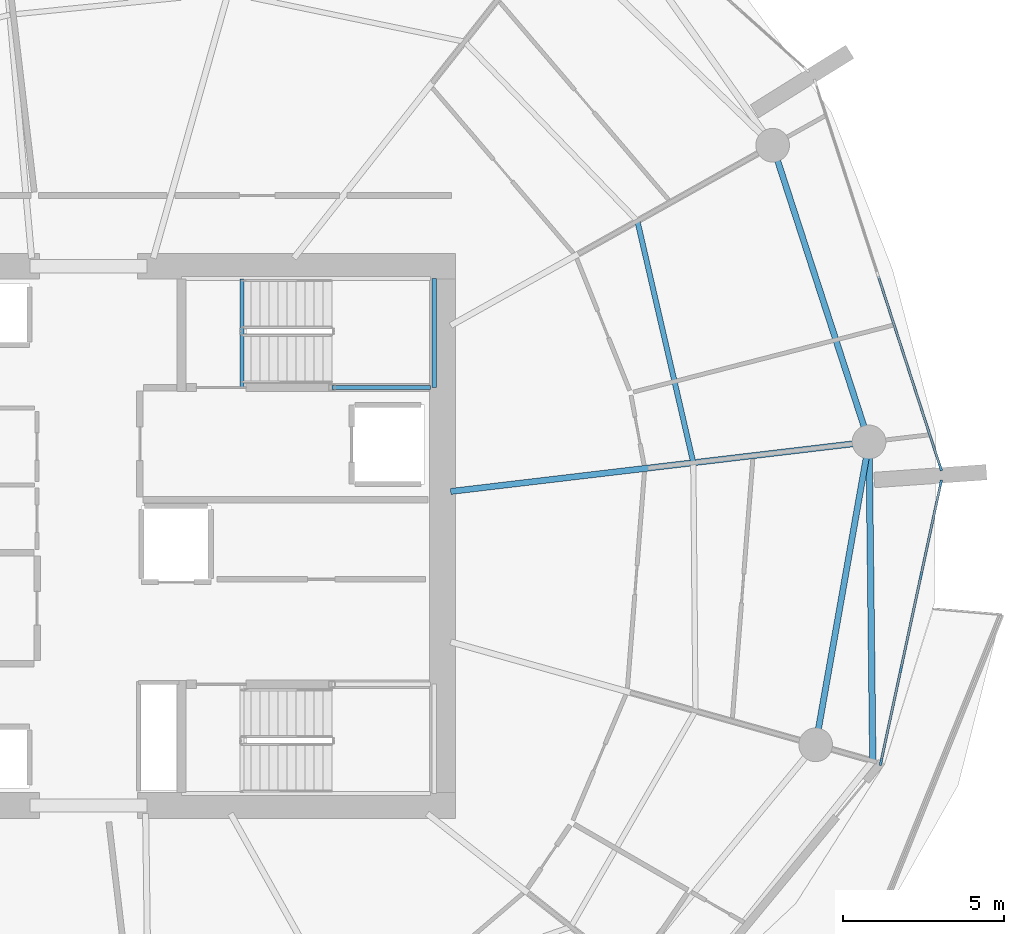
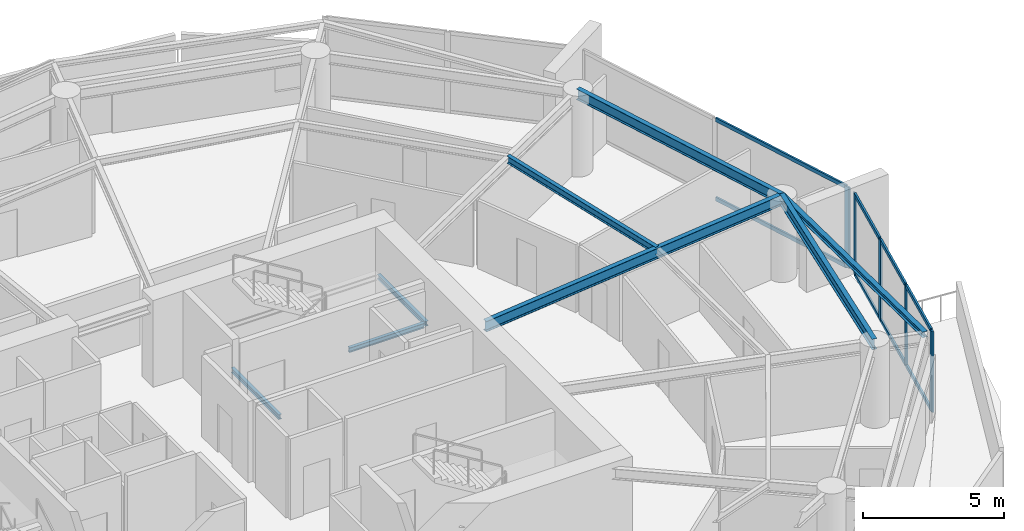
# One storey, part 7 of 20: 13 members, 8 beams, 2 elements without a shape of their own.
"""IFC4 building model written with IfcOpenShell, lengths in metres."""

from ifc_helpers import new_model, si_unit, direction, frame, origin, origin_2d, place, context, subcontext, project, spatial, rectangle, i_section, extrude, material, layer, layer_set, material_profile, profile_set, type_object, element, aggregate, save


model = new_model("IFC4")

# Units and contexts
model_context = context("Model", 3, precision=1e-05, world=origin(), true_north=direction((0.0, 1.0)))
body_context = subcontext(model_context, "Body", "Model", "MODEL_VIEW")
ifc_project = project(units=[si_unit("LENGTHUNIT", "METRE"), si_unit("AREAUNIT", "SQUARE_METRE"), si_unit("VOLUMEUNIT", "CUBIC_METRE"), si_unit("PLANEANGLEUNIT", "RADIAN"), si_unit("MASSUNIT", "GRAM", prefix="KILO")], contexts=[model_context])

# Site, building, storey
site_placement = place(None, origin())
site = spatial("IfcSite", under=ifc_project, at=site_placement, CompositionType="ELEMENT")
building_placement = place(site_placement, origin())
building = spatial("IfcBuilding", under=site, at=building_placement, Name="Kazma Halo Residences", CompositionType="ELEMENT")
storey_placement = place(building_placement, frame((0.0, 0.0, 157.800048828125)))
storey = spatial("IfcBuildingStorey", under=building, at=storey_placement, Name="L39", CompositionType="ELEMENT", Elevation=157.800048828125)

# Beams
ifc_material_1 = material(Name="Steel S355", Category="steel")
ifc_material_profile_1 = material_profile(ifc_material_1, i_section(OverallWidth=0.201904296875, OverallDepth=0.2470703125, WebThickness=0.00732421875, FlangeThickness=0.010986328125, FilletRadius=0.011962890625, at=origin_2d()), Name="W250x49.1")
ifc_profile_set_1 = profile_set([ifc_material_profile_1], Name="Steel S355")
beam_type_1 = type_object("IfcBeamType", Name="BM-BAL-CANT", PredefinedType="BEAM", material=ifc_profile_set_1)
beam_1_placement = place(storey_placement, frame((72.850341796875, 34.991455078125, 3.37646484375), z_axis=(-0.011793371143, 0.99993045578, 0.0), x_axis=(-0.99993045578, -0.011793371143, 0.0)))
element("IfcBeam", 1, at=beam_1_placement, inside=storey, type_object=beam_type_1, Name="L39 wave-balcony tie beam 15", PredefinedType="BEAM", context=body_context, shape_type="SweptSolid", body=[
    extrude(i_section(OverallWidth=0.201904296875, OverallDepth=0.2470703125, WebThickness=0.00732421875, FlangeThickness=0.010986328125, FilletRadius=0.011962890625, at=origin_2d()), origin(), (0.0, 0.0, 1.0), 9.936767578125),
])
ifc_material_profile_2 = material_profile(ifc_material_1, i_section(OverallWidth=0.18994140625, OverallDepth=0.45703125, WebThickness=0.009033203125, FlangeThickness=0.014404296875, FilletRadius=0.01611328125, at=origin_2d()), Name="W460x74")
ifc_profile_set_2 = profile_set([ifc_material_profile_2], Name="Steel S355")
beam_type_2 = type_object("IfcBeamType", Name="BM-RAD-W460", PredefinedType="BEAM", material=ifc_profile_set_2)
beam_2_placement = place(storey_placement, frame((59.699951171875, 43.384765625, 3.271484375), z_axis=(0.993067181848, 0.117548170278, 0.0), x_axis=(-0.117548170278, 0.993067181848, 0.0)))
element("IfcBeam", 2, at=beam_2_placement, inside=storey, type_object=beam_type_2, Name="L39 radial floor beam 16", PredefinedType="BEAM", context=body_context, shape_type="SweptSolid", body=[
    extrude(i_section(OverallWidth=0.18994140625, OverallDepth=0.45703125, WebThickness=0.009033203125, FlangeThickness=0.014404296875, FilletRadius=0.01611328125, at=origin_2d()), origin(), (0.0, 0.0, 1.0), 13.124267578125),
])
ifc_material_profile_3 = material_profile(ifc_material_1, i_section(OverallWidth=0.1650390625, OverallDepth=0.31005859375, WebThickness=0.005859375, FlangeThickness=0.009765625, FilletRadius=0.011962890625, at=origin_2d()), Name="W310x38.7")
ifc_profile_set_3 = profile_set([ifc_material_profile_3], Name="Steel S355")
beam_type_3 = type_object("IfcBeamType", Name="BM-SEC-W310B", PredefinedType="JOIST", material=ifc_profile_set_3)
beam_3_placement = place(storey_placement, frame((67.25927734375, 44.279541015625, 3.344970703125), z_axis=(-0.225330067077, 0.97428248515, 0.0), x_axis=(-0.97428248515, -0.225330067077, 0.0)))
element("IfcBeam", 3, at=beam_3_placement, inside=storey, type_object=beam_type_3, Name="L39 circumferential floor joist 16", PredefinedType="JOIST", context=body_context, shape_type="SweptSolid", body=[
    extrude(i_section(OverallWidth=0.1650390625, OverallDepth=0.31005859375, WebThickness=0.005859375, FlangeThickness=0.009765625, FilletRadius=0.011962890625, at=origin_2d()), origin(), (0.0, 0.0, 1.0), 7.7294921875),
])
ifc_material_profile_4 = material_profile(ifc_material_1, i_section(OverallWidth=0.18994140625, OverallDepth=0.45703125, WebThickness=0.009033203125, FlangeThickness=0.014404296875, FilletRadius=0.01611328125, at=origin_2d()), Name="W460x74")
ifc_profile_set_4 = profile_set([ifc_material_profile_4], Name="Steel S355")
beam_type_4 = type_object("IfcBeamType", Name="BM-SPN-W460", PredefinedType="BEAM", material=ifc_profile_set_4)
beam_4_placement = place(storey_placement, frame((71.06982421875, 35.49365234375, 3.271484375), z_axis=(0.173637033425, 0.984809717978, 0.0), x_axis=(-0.984809717978, 0.173637033425, 0.0)))
element("IfcBeam", 4, at=beam_4_placement, inside=storey, type_object=beam_type_4, Name="L39 perimeter ring beam 15", PredefinedType="BEAM", context=body_context, shape_type="SweptSolid", body=[
    extrude(i_section(OverallWidth=0.18994140625, OverallDepth=0.45703125, WebThickness=0.009033203125, FlangeThickness=0.014404296875, FilletRadius=0.01611328125, at=origin_2d()), origin(), (0.0, 0.0, 1.0), 9.579345703125),
])
beam_5_placement = place(storey_placement, frame((72.733154296875, 44.927490234375, 3.271484375), z_axis=(-0.309020741629, 0.95105529873, 0.0), x_axis=(-0.95105529873, -0.309020741629, 0.0)))
element("IfcBeam", 5, at=beam_5_placement, inside=storey, type_object=beam_type_4, Name="L39 perimeter ring beam 16", PredefinedType="BEAM", context=body_context, shape_type="SweptSolid", body=[
    extrude(i_section(OverallWidth=0.18994140625, OverallDepth=0.45703125, WebThickness=0.009033203125, FlangeThickness=0.014404296875, FilletRadius=0.01611328125, at=origin_2d()), origin(), (0.0, 0.0, 1.0), 9.717529296875),
])
ifc_material_profile_5 = material_profile(ifc_material_1, i_section(OverallWidth=0.133056640625, OverallDepth=0.20703125, WebThickness=0.005859375, FlangeThickness=0.00830078125, FilletRadius=0.010009765625, at=origin_2d()), Name="W200x26.6")
ifc_profile_set_5 = profile_set([ifc_material_profile_5], Name="Steel S355")
beam_type_5 = type_object("IfcBeamType", Name="BM-TRIM-W200", PredefinedType="BEAM", material=ifc_profile_set_5)
beam_6_placement = place(storey_placement, frame((53.199951171875, 46.6201171875, -0.360107421875), z_axis=(0.0, 1.0, 0.0), x_axis=(-1.0, 0.0, 0.0)))
element("IfcBeam", 6, at=beam_6_placement, inside=storey, type_object=beam_type_5, Name="L39 ST-02 floor landing support beam", PredefinedType="BEAM", context=body_context, shape_type="SweptSolid", body=[
    extrude(i_section(OverallWidth=0.133056640625, OverallDepth=0.20703125, WebThickness=0.005859375, FlangeThickness=0.00830078125, FilletRadius=0.010009765625, at=origin_2d()), origin(), (0.0, 0.0, 1.0), 3.3798828125),
])
beam_7_placement = place(storey_placement, frame((56.0, 46.6201171875, 1.570068359375), z_axis=(1.0, 0.0, 0.0), x_axis=(0.0, 1.0, 0.0)))
element("IfcBeam", 7, at=beam_7_placement, inside=storey, type_object=beam_type_5, Name="L39 ST-02 landing south wall ledger", PredefinedType="BEAM", context=body_context, shape_type="SweptSolid", body=[
    extrude(i_section(OverallWidth=0.133056640625, OverallDepth=0.20703125, WebThickness=0.005859375, FlangeThickness=0.00830078125, FilletRadius=0.010009765625, at=origin_2d()), origin(), (0.0, 0.0, 1.0), 3.070068359375),
])
beam_8_placement = place(storey_placement, frame((59.18994140625, 46.6201171875, 1.570068359375), z_axis=(0.0, 1.0, 0.0), x_axis=(-1.0, 0.0, 0.0)))
element("IfcBeam", 8, at=beam_8_placement, inside=storey, type_object=beam_type_5, Name="L39 ST-02 landing end wall ledger", PredefinedType="BEAM", context=body_context, shape_type="SweptSolid", body=[
    extrude(i_section(OverallWidth=0.133056640625, OverallDepth=0.20703125, WebThickness=0.005859375, FlangeThickness=0.00830078125, FilletRadius=0.010009765625, at=origin_2d()), origin(), (0.0, 0.0, 1.0), 3.39990234375),
])

# Curtain wall, members
ifc_material_2 = material(Name="Aluminium AW-6063 T6 and Triple-Silver Low-E Glass", Category="aluminium")
ifc_layer = layer(ifc_material_2, 0.219970703125)
ifc_layer_set = layer_set([ifc_layer], Name="Aluminium AW-6063 T6 and Triple-Silver Low-E Glass")
curtain_wall_type = type_object("IfcCurtainWallType", Name="CW-SYS-4", PredefinedType="NOTDEFINED", material=ifc_layer_set)
curtain_wall_1_placement = place(storey_placement, origin())
curtain_wall_1 = element("IfcCurtainWall", 9, at=curtain_wall_1_placement, inside=storey, type_object=curtain_wall_type, Name="L39 unitised curtain wall B15", PredefinedType="NOTDEFINED")
ifc_material_3 = material(Name="Aluminium AW-6063 T6", Category="aluminium")
ifc_material_profile_6 = material_profile(ifc_material_3, rectangle(XDim=0.074951171875, YDim=0.219970703125, at=origin_2d()), Name="CWM-75x220")
ifc_profile_set_6 = profile_set([ifc_material_profile_6], Name="Aluminium AW-6063 T6")
member_type_1 = type_object("IfcMemberType", Name="CW-SYS-4-MUL", PredefinedType="MULLION", material=ifc_profile_set_6)
member_1_placement = place(storey_placement, frame((73.105224609375, 34.95849609375, 0.0), z_axis=(0.0, 0.0, 1.0), x_axis=(-0.977764957684, 0.209703809037, 0.0)))
member_1 = element("IfcMember", 10, at=member_1_placement, type_object=member_type_1, Name="CWS-4 mullion 1", PredefinedType="MULLION", context=body_context, shape_type="SweptSolid", body=[
    extrude(rectangle(XDim=0.074951171875, YDim=0.219970703125, at=origin_2d()), origin(), (0.0, 0.0, 1.0), 3.5),
])
member_2_placement = place(storey_placement, frame((73.72314453125, 37.839111328125, 0.0), z_axis=(0.0, 0.0, 1.0), x_axis=(-0.977764957684, 0.209703809037, 0.0)))
member_2 = element("IfcMember", 11, at=member_2_placement, type_object=member_type_1, Name="CWS-4 mullion 2", PredefinedType="MULLION", context=body_context, shape_type="SweptSolid", body=[
    extrude(rectangle(XDim=0.074951171875, YDim=0.219970703125, at=origin_2d()), origin(), (0.0, 0.0, 1.0), 3.5),
])
member_3_placement = place(storey_placement, frame((74.3486328125, 40.75634765625, 0.0), z_axis=(0.0, 0.0, 1.0), x_axis=(-0.977764957684, 0.209703809037, 0.0)))
member_3 = element("IfcMember", 12, at=member_3_placement, type_object=member_type_1, Name="CWS-4 mullion 3", PredefinedType="MULLION", context=body_context, shape_type="SweptSolid", body=[
    extrude(rectangle(XDim=0.074951171875, YDim=0.219970703125, at=origin_2d()), origin(), (0.0, 0.0, 1.0), 3.5),
])
member_4_placement = place(storey_placement, frame((74.966552734375, 43.63671875, 0.0), z_axis=(0.0, 0.0, 1.0), x_axis=(-0.977764957684, 0.209703809037, 0.0)))
member_4 = element("IfcMember", 13, at=member_4_placement, type_object=member_type_1, Name="CWS-4 mullion 4", PredefinedType="MULLION", context=body_context, shape_type="SweptSolid", body=[
    extrude(rectangle(XDim=0.074951171875, YDim=0.219970703125, at=origin_2d()), origin(), (0.0, 0.0, 1.0), 3.5),
])

# Curtain wall, member
curtain_wall_2_placement = place(storey_placement, origin())
curtain_wall_2 = element("IfcCurtainWall", 14, at=curtain_wall_2_placement, inside=storey, type_object=curtain_wall_type, Name="L39 unitised curtain wall B16", PredefinedType="NOTDEFINED")
member_5_placement = place(storey_placement, frame((74.955810546875, 44.13427734375, 0.0), z_axis=(0.0, 0.0, 1.0), x_axis=(-0.951057547609, -0.3090138203, 0.0)))
member_5 = element("IfcMember", 15, at=member_5_placement, type_object=member_type_1, Name="CWS-4 mullion 1", PredefinedType="MULLION", context=body_context, shape_type="SweptSolid", body=[
    extrude(rectangle(XDim=0.074951171875, YDim=0.219970703125, at=origin_2d()), origin(), (0.0, 0.0, 1.0), 3.5),
])

# Member
ifc_material_profile_7 = material_profile(ifc_material_3, rectangle(XDim=0.074951171875, YDim=0.1650390625, at=origin_2d()), Name="CWT-75x165")
ifc_profile_set_7 = profile_set([ifc_material_profile_7], Name="Aluminium AW-6063 T6")
member_type_2 = type_object("IfcMemberType", Name="CW-SYS-4-TRN", PredefinedType="USERDEFINED", material=ifc_profile_set_7)
member_6_placement = place(storey_placement, frame((73.113037109375, 34.9951171875, 0.037353515625), z_axis=(0.209703309269, 0.977765064871, 0.0), x_axis=(-0.977765064871, 0.209703309269, 0.0)))
member_6 = element("IfcMember", 16, at=member_6_placement, type_object=member_type_2, Name="CWS-4 transom 1.1", ObjectType="TRANSOM", PredefinedType="USERDEFINED", context=body_context, shape_type="SweptSolid", body=[
    extrude(rectangle(XDim=0.074951171875, YDim=0.1650390625, at=origin_2d()), origin(), (0.0, 0.0, 1.0), 2.870849609375),
])

member_7_placement = place(storey_placement, frame((73.113037109375, 34.9951171875, 3.46240234375), z_axis=(0.209703309269, 0.977765064871, 0.0), x_axis=(-0.977765064871, 0.209703309269, 0.0)))
member_7 = element("IfcMember", 17, at=member_7_placement, type_object=member_type_2, Name="CWS-4 transom 1.2", ObjectType="TRANSOM", PredefinedType="USERDEFINED", context=body_context, shape_type="SweptSolid", body=[
    extrude(rectangle(XDim=0.074951171875, YDim=0.1650390625, at=origin_2d()), origin(), (0.0, 0.0, 1.0), 2.870849609375),
])

member_8_placement = place(storey_placement, frame((73.73095703125, 37.875732421875, 0.037353515625), z_axis=(0.209689601293, 0.977768004748, 0.0), x_axis=(-0.977768004748, 0.209689601293, 0.0)))
member_8 = element("IfcMember", 18, at=member_8_placement, type_object=member_type_2, Name="CWS-4 transom 2.1", ObjectType="TRANSOM", PredefinedType="USERDEFINED", context=body_context, shape_type="SweptSolid", body=[
    extrude(rectangle(XDim=0.074951171875, YDim=0.1650390625, at=origin_2d()), origin(), (0.0, 0.0, 1.0), 2.908447265625),
])

member_9_placement = place(storey_placement, frame((73.73095703125, 37.875732421875, 3.46240234375), z_axis=(0.209689601293, 0.977768004748, 0.0), x_axis=(-0.977768004748, 0.209689601293, 0.0)))
member_9 = element("IfcMember", 19, at=member_9_placement, type_object=member_type_2, Name="CWS-4 transom 2.2", ObjectType="TRANSOM", PredefinedType="USERDEFINED", context=body_context, shape_type="SweptSolid", body=[
    extrude(rectangle(XDim=0.074951171875, YDim=0.1650390625, at=origin_2d()), origin(), (0.0, 0.0, 1.0), 2.908447265625),
])

member_10_placement = place(storey_placement, frame((74.356689453125, 40.79296875, 0.037353515625), z_axis=(0.209703309269, 0.977765064871, 0.0), x_axis=(-0.977765064871, 0.209703309269, 0.0)))
member_10 = element("IfcMember", 20, at=member_10_placement, type_object=member_type_2, Name="CWS-4 transom 3.1", ObjectType="TRANSOM", PredefinedType="USERDEFINED", context=body_context, shape_type="SweptSolid", body=[
    extrude(rectangle(XDim=0.074951171875, YDim=0.1650390625, at=origin_2d()), origin(), (0.0, 0.0, 1.0), 2.870849609375),
])

member_11_placement = place(storey_placement, frame((74.356689453125, 40.79296875, 3.46240234375), z_axis=(0.209703309269, 0.977765064871, 0.0), x_axis=(-0.977765064871, 0.209703309269, 0.0)))
member_11 = element("IfcMember", 21, at=member_11_placement, type_object=member_type_2, Name="CWS-4 transom 3.2", ObjectType="TRANSOM", PredefinedType="USERDEFINED", context=body_context, shape_type="SweptSolid", body=[
    extrude(rectangle(XDim=0.074951171875, YDim=0.1650390625, at=origin_2d()), origin(), (0.0, 0.0, 1.0), 2.870849609375),
])

aggregate(curtain_wall_1, [member_1, member_2, member_3, member_4, member_6, member_7, member_8, member_9, member_10, member_11])

member_12_placement = place(storey_placement, frame((74.9443359375, 44.169921875, 0.037353515625), z_axis=(-0.309006258762, 0.95106000444, 0.0), x_axis=(-0.95106000444, -0.309006258762, 0.0)))
member_12 = element("IfcMember", 22, at=member_12_placement, type_object=member_type_2, Name="CWS-4 transom 1.1", ObjectType="TRANSOM", PredefinedType="USERDEFINED", context=body_context, shape_type="SweptSolid", body=[
    extrude(rectangle(XDim=0.074951171875, YDim=0.1650390625, at=origin_2d()), origin(), (0.0, 0.0, 1.0), 6.22509765625),
])

member_13_placement = place(storey_placement, frame((74.9443359375, 44.169921875, 3.46240234375), z_axis=(-0.309006258762, 0.95106000444, 0.0), x_axis=(-0.95106000444, -0.309006258762, 0.0)))
member_13 = element("IfcMember", 23, at=member_13_placement, type_object=member_type_2, Name="CWS-4 transom 1.2", ObjectType="TRANSOM", PredefinedType="USERDEFINED", context=body_context, shape_type="SweptSolid", body=[
    extrude(rectangle(XDim=0.074951171875, YDim=0.1650390625, at=origin_2d()), origin(), (0.0, 0.0, 1.0), 6.22509765625),
])

aggregate(curtain_wall_2, [member_5, member_12, member_13])

save(model, "model.ifc")
